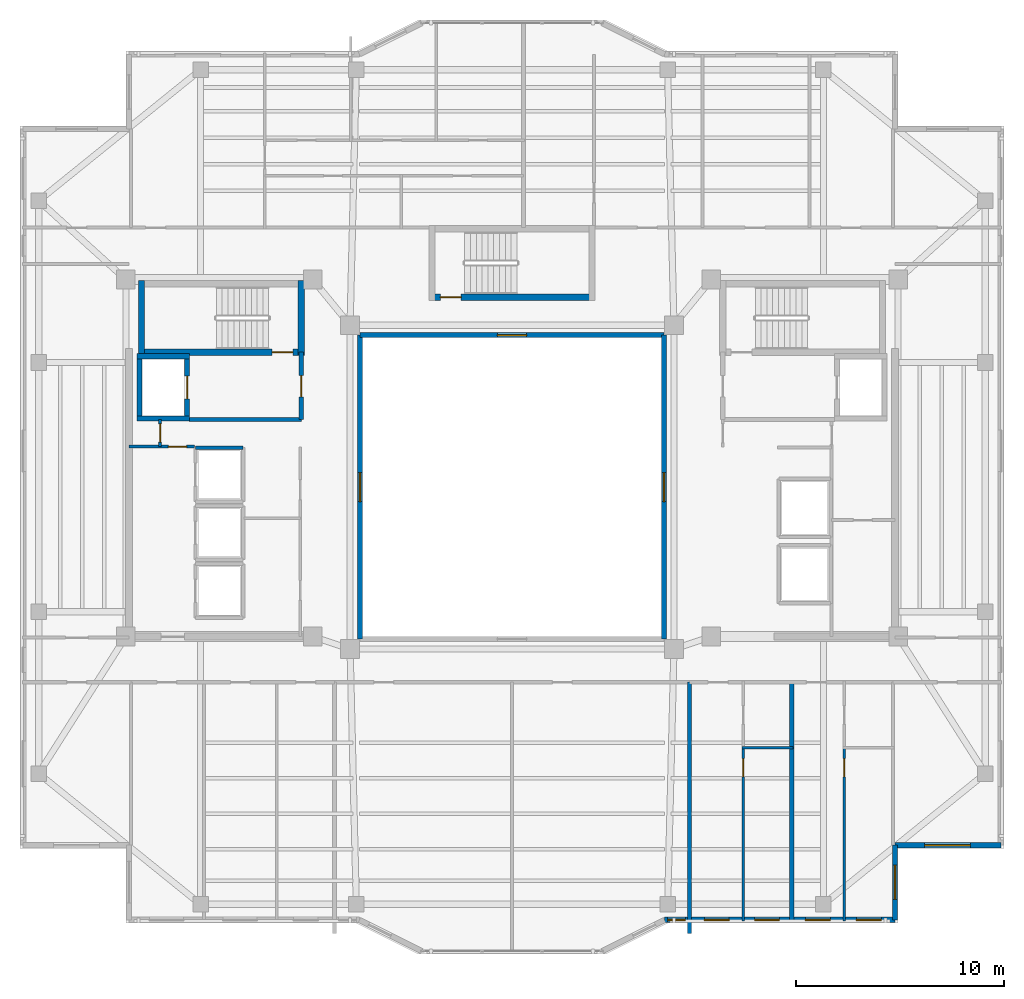
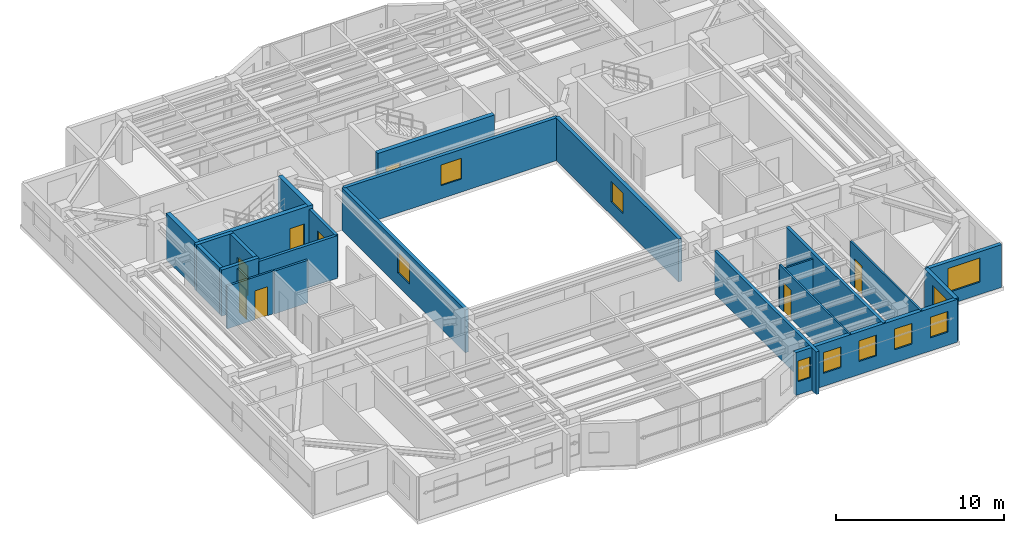
# One storey, part 7 of 13: 24 walls, 10 windows, 8 doors, 18 openings.
"""IFC4 building model written with IfcOpenShell, lengths in metres."""

from ifc_helpers import new_model, si_unit, direction, frame, frame_2d, origin, place, context, subcontext, project, spatial, rectangle, extrude, material, layer, layer_set, type_object, element, fill, save


model = new_model("IFC4")

# Units and contexts
model_context = context("Model", 3, precision=1e-05, world=origin(), true_north=direction((0.0, 1.0)))
body_context = subcontext(model_context, "Body", "Model", "MODEL_VIEW")
ifc_project = project(units=[si_unit("LENGTHUNIT", "METRE"), si_unit("AREAUNIT", "SQUARE_METRE"), si_unit("VOLUMEUNIT", "CUBIC_METRE"), si_unit("PLANEANGLEUNIT", "RADIAN"), si_unit("MASSUNIT", "GRAM", prefix="KILO")], contexts=[model_context])

# Site, building, storey
site_placement = place(None, origin())
site = spatial("IfcSite", under=ifc_project, at=site_placement, CompositionType="ELEMENT")
building_placement = place(site_placement, origin())
building = spatial("IfcBuilding", under=site, at=building_placement, Name="Tarnavaz Court Tower", CompositionType="ELEMENT")
storey_placement = place(building_placement, frame((0.0, 0.0, 193.60009765625)))
storey = spatial("IfcBuildingStorey", under=building, at=storey_placement, Name="L52", CompositionType="ELEMENT", Elevation=193.60009765625)

# Wall
ifc_material_1 = material(Name="Concrete C50/60", Category="concrete")
ifc_layer_1 = layer(ifc_material_1, 0.25)
ifc_layer_set_1 = layer_set([ifc_layer_1], Name="Concrete C50/60")
wall_type_1 = type_object("IfcWallType", Name="WL-CORE-250-C50", PredefinedType="SHEAR", material=ifc_layer_set_1)
wall_1_placement = place(storey_placement, frame((-17.949951171875, 3.175048828125, 0.0), z_axis=(0.0, 0.0, 1.0), x_axis=(0.0, 1.0, 0.0)))
element("IfcWall", 1, at=wall_1_placement, inside=storey, type_object=wall_type_1, Name="L52 Lift FL-W1 Shaft Wall 017", PredefinedType="SHEAR", context=body_context, shape_type="SweptSolid", body=[
    extrude(rectangle(XDim=3.25, YDim=0.25, at=frame_2d((1.625, 0.0))), origin(), (0.0, 0.0, 1.0), 3.349853515625),
])

# Wall, opening, door
wall_2_placement = place(storey_placement, frame((-15.64990234375, 3.175048828125, 0.0), z_axis=(0.0, 0.0, 1.0), x_axis=(0.0, 1.0, 0.0)))
wall_2 = element("IfcWall", 2, at=wall_2_placement, inside=storey, type_object=wall_type_1, Name="L52 Lift FL-W1 Shaft Wall 018", PredefinedType="SHEAR", context=body_context, shape_type="SweptSolid", body=[
    extrude(rectangle(XDim=3.25, YDim=0.25, at=frame_2d((1.625, 0.0))), origin(), (0.0, 0.0, 1.0), 3.349853515625),
])
opening_1_placement = place(wall_2_placement, frame((1.074951171875, 0.0, 0.0)))
opening_1 = element("IfcOpeningElement", 3, at=opening_1_placement, cuts=wall_2, Name="Opening LD1", PredefinedType="OPENING", context=body_context, shape_type="SweptSolid", body=[
    extrude(rectangle(XDim=1.10009765625, YDim=2.14990234375, at=frame_2d((0.550048828125, 1.074951171875))), frame((0.0, 0.135009765625, 0.0), z_axis=(0.0, -1.0, 0.0), x_axis=(1.0, 0.0, 0.0)), (0.0, 0.0, 1.0), 0.27001953125),
])
ifc_material_2 = material(Name="Stainless Steel", Category="steel")
door_type_1 = type_object("IfcDoorType", Name="DR-LD-1100", OperationType="NOTDEFINED", PredefinedType="DOOR", material=ifc_material_2)
door_1_placement = place(opening_1_placement, origin())
door_1 = element("IfcDoor", 4, at=door_1_placement, inside=storey, type_object=door_type_1, Name="L52 Lift Landing Door LD-FL-W1", OperationType="SLIDING_TO_LEFT", OverallHeight=2.14990234375, OverallWidth=1.10009765625, PredefinedType="DOOR", context=body_context, shape_type="SweptSolid", body=[
    extrude(rectangle(XDim=1.10009765625, YDim=2.14990234375, at=frame_2d((0.550048828125, 1.074951171875))), frame((0.0, 0.02490234375, 0.0), z_axis=(0.0, -1.0, 0.0), x_axis=(1.0, 0.0, 0.0)), (0.0, 0.0, 1.0), 0.050048828125),
])
fill(opening_1, door_1)

# Walls
for number, where, z_axis, x_axis, name in (
    (5, (-18.074951171875, 3.300048828125, 0.0), (0.0, 0.0, 1.0), (1.0, 0.0, 0.0), "L52 Lift FL-W1 Shaft Wall 019"),
    (6, (-18.074951171875, 6.300048828125, 0.0), (0.0, 0.0, 1.0), (1.0, 0.0, 0.0), "L52 Lift FL-W1 Shaft Wall 020"),
):
    element("IfcWall", number, at=place(storey_placement, frame(where, z_axis=z_axis, x_axis=x_axis)), inside=storey, type_object=wall_type_1, Name=name, PredefinedType="SHEAR", context=body_context, shape_type="SweptSolid", body=[
        extrude(rectangle(XDim=2.550048828125, YDim=0.25, at=frame_2d((1.27490234375, 0.0))), origin(), (0.0, 0.0, 1.0), 3.349853515625),
    ])

# Wall, opening, door
ifc_layer_2 = layer(ifc_material_1, 0.300048828125)
ifc_layer_set_2 = layer_set([ifc_layer_2], Name="Concrete C50/60")
wall_type_2 = type_object("IfcWallType", Name="WL-CORE-300-C50", PredefinedType="SHEAR", material=ifc_layer_set_2)
wall_3_placement = place(storey_placement, frame((-18.0, 6.5, 0.0), z_axis=(0.0, 0.0, 1.0), x_axis=(1.0, 0.0, 0.0)))
wall_3 = element("IfcWall", 7, at=wall_3_placement, inside=storey, type_object=wall_type_2, Name="L52 West Stair Core Wall 002", PredefinedType="SHEAR", context=body_context, shape_type="SweptSolid", body=[
    extrude(rectangle(XDim=8.0, YDim=0.300048828125, at=frame_2d((4.0, 0.0))), origin(), (0.0, 0.0, 1.0), 3.349853515625),
])
opening_2_placement = place(wall_3_placement, frame((6.449951171875, 0.0, 0.0)))
opening_2 = element("IfcOpeningElement", 8, at=opening_2_placement, cuts=wall_3, Name="Opening D01", PredefinedType="OPENING", context=body_context, shape_type="SweptSolid", body=[
    extrude(rectangle(XDim=1.0, YDim=2.14990234375, at=frame_2d((0.5, 1.074951171875))), frame((0.0, 0.159912109375, 0.0), z_axis=(0.0, -1.0, 0.0), x_axis=(1.0, 0.0, 0.0)), (0.0, 0.0, 1.0), 0.320068359375),
])
ifc_material_3 = material(Name="Fire-Rated Hardwood Timber Core", Category="wood")
door_type_2 = type_object("IfcDoorType", Name="DR-FD90-1000", OperationType="NOTDEFINED", PredefinedType="DOOR", material=ifc_material_3)
door_2_placement = place(opening_2_placement, origin())
door_2 = element("IfcDoor", 9, at=door_2_placement, inside=storey, type_object=door_type_2, Name="L52 Stair ST-W1 Exit Door", OperationType="SINGLE_SWING_LEFT", OverallHeight=2.14990234375, OverallWidth=1.0, PredefinedType="DOOR", context=body_context, shape_type="SweptSolid", body=[
    extrude(rectangle(XDim=1.0, YDim=2.14990234375, at=frame_2d((0.5, 1.074951171875))), frame((0.0, 0.02490234375, 0.0), z_axis=(0.0, -1.0, 0.0), x_axis=(1.0, 0.0, 0.0)), (0.0, 0.0, 1.0), 0.050048828125),
])
fill(opening_2, door_2)

# Walls
for number, where, z_axis, x_axis, name in (
    (10, (-17.85009765625, 6.35009765625, 0.0), (0.0, 0.0, 1.0), (0.0, 1.0, 0.0), "L52 West Stair Core Wall 003"),
    (11, (-10.14990234375, 6.35009765625, 0.0), (0.0, 0.0, 1.0), (0.0, 1.0, 0.0), "L52 West Stair Core Wall 004"),
):
    element("IfcWall", number, at=place(storey_placement, frame(where, z_axis=z_axis, x_axis=x_axis)), inside=storey, type_object=wall_type_2, Name=name, PredefinedType="SHEAR", context=body_context, shape_type="SweptSolid", body=[
        extrude(rectangle(XDim=3.58984375, YDim=0.300048828125, at=frame_2d((1.794921875, 0.0))), origin(), (0.0, 0.0, 1.0), 3.349853515625),
    ])

# Wall, opening, door
wall_4_placement = place(storey_placement, frame((-4.0, 9.14990234375, 0.0), z_axis=(0.0, 0.0, 1.0), x_axis=(1.0, 0.0, 0.0)))
wall_4 = element("IfcWall", 12, at=wall_4_placement, inside=storey, type_object=wall_type_2, Name="L52 North Stair Core Wall 010", PredefinedType="SHEAR", context=body_context, shape_type="SweptSolid", body=[
    extrude(rectangle(XDim=8.0, YDim=0.300048828125, at=frame_2d((4.0, 0.0))), origin(), (0.0, 0.0, 1.0), 3.349853515625),
])
opening_3_placement = place(wall_4_placement, frame((0.550048828125, 0.0, 0.0)))
opening_3 = element("IfcOpeningElement", 13, at=opening_3_placement, cuts=wall_4, Name="Opening D01", PredefinedType="OPENING", context=body_context, shape_type="SweptSolid", body=[
    extrude(rectangle(XDim=1.0, YDim=2.14990234375, at=frame_2d((0.5, 1.074951171875))), frame((0.0, 0.159912109375, 0.0), z_axis=(0.0, -1.0, 0.0), x_axis=(1.0, 0.0, 0.0)), (0.0, 0.0, 1.0), 0.320068359375),
])
door_3_placement = place(opening_3_placement, origin())
door_3 = element("IfcDoor", 14, at=door_3_placement, inside=storey, type_object=door_type_2, Name="L52 Stair ST-N1 Exit Door", OperationType="SINGLE_SWING_LEFT", OverallHeight=2.14990234375, OverallWidth=1.0, PredefinedType="DOOR", context=body_context, shape_type="SweptSolid", body=[
    extrude(rectangle(XDim=1.0, YDim=2.14990234375, at=frame_2d((0.5, 1.074951171875))), frame((0.0, 0.02490234375, 0.0), z_axis=(0.0, -1.0, 0.0), x_axis=(1.0, 0.0, 0.0)), (0.0, 0.0, 1.0), 0.050048828125),
])
fill(opening_3, door_3)

# Wall, opening, window
ifc_material_4 = material(Name="Precast Concrete C40/50", Category="concrete")
ifc_layer_3 = layer(ifc_material_4, 0.260009765625)
ifc_layer_set_3 = layer_set([ifc_layer_3], Name="Precast Concrete C40/50")
wall_type_3 = type_object("IfcWallType", Name="WL-EXT-260", PredefinedType="SOLIDWALL", material=ifc_layer_set_3)
wall_5_placement = place(storey_placement, frame((23.550048828125, -17.25, 0.0), z_axis=(0.0, 0.0, 1.0), x_axis=(-1.0, 0.0, 0.0)))
wall_5 = element("IfcWall", 15, at=wall_5_placement, inside=storey, type_object=wall_type_3, Name="L52 Exterior Terracotta Facade Wall 13", PredefinedType="SOLIDWALL", context=body_context, shape_type="SweptSolid", body=[
    extrude(rectangle(XDim=5.10009765625, YDim=0.260009765625, at=frame_2d((2.550048828125, 0.0))), origin(), (0.0, 0.0, 1.0), 3.099853515625),
])
opening_4_placement = place(wall_5_placement, frame((1.47509765625, 0.0, 0.89990234375)))
opening_4 = element("IfcOpeningElement", 16, at=opening_4_placement, cuts=wall_5, Name="Opening W07", PredefinedType="OPENING", context=body_context, shape_type="SweptSolid", body=[
    extrude(rectangle(XDim=2.199951171875, YDim=1.75, at=frame_2d((1.10009765625, 0.875))), frame((0.0, 0.139892578125, 0.0), z_axis=(0.0, -1.0, 0.0), x_axis=(1.0, 0.0, 0.0)), (0.0, 0.0, 1.0), 0.280029296875),
])
ifc_material_5 = material(Name="Double-Glazed Solar Low-E Glass", Category="glass")
window_type_1 = type_object("IfcWindowType", Name="WN-APT-2200", PartitioningType="TRIPLE_PANEL_VERTICAL", PredefinedType="WINDOW", material=ifc_material_5)
window_1_placement = place(opening_4_placement, origin())
window_1 = element("IfcWindow", 17, at=window_1_placement, inside=storey, type_object=window_type_1, Name="L52 South-East Corner Reading Room Window", OverallHeight=1.75, OverallWidth=2.199951171875, PartitioningType="SINGLE_PANEL", PredefinedType="WINDOW", context=body_context, shape_type="SweptSolid", body=[
    extrude(rectangle(XDim=2.199951171875, YDim=1.75, at=frame_2d((1.10009765625, 0.875))), frame((0.0, 0.030029296875, 0.0), z_axis=(0.0, -1.0, 0.0), x_axis=(1.0, 0.0, 0.0)), (0.0, 0.0, 1.0), 0.06005859375),
])
fill(opening_4, window_1)

wall_6_placement = place(storey_placement, frame((18.449951171875, -17.25, 0.0), z_axis=(0.0, 0.0, 1.0), x_axis=(0.0, -1.0, 0.0)))
wall_6 = element("IfcWall", 18, at=wall_6_placement, inside=storey, type_object=wall_type_3, Name="L52 Exterior Terracotta Facade Wall 14", PredefinedType="SOLIDWALL", context=body_context, shape_type="SweptSolid", body=[
    extrude(rectangle(XDim=3.60009765625, YDim=0.260009765625, at=frame_2d((1.800048828125, 0.0))), origin(), (0.0, 0.0, 1.0), 3.099853515625),
])
opening_5_placement = place(wall_6_placement, frame((0.95751953125, 0.0, 0.89990234375)))
opening_5 = element("IfcOpeningElement", 19, at=opening_5_placement, cuts=wall_6, Name="Opening W02", PredefinedType="OPENING", context=body_context, shape_type="SweptSolid", body=[
    extrude(rectangle(XDim=1.64990234375, YDim=1.60009765625, at=frame_2d((0.824951171875, 0.800048828125))), frame((0.0, 0.139892578125, 0.0), z_axis=(0.0, -1.0, 0.0), x_axis=(1.0, 0.0, 0.0)), (0.0, 0.0, 1.0), 0.280029296875),
])
window_type_2 = type_object("IfcWindowType", Name="WN-APT-1650", PartitioningType="DOUBLE_PANEL_VERTICAL", PredefinedType="WINDOW", material=ifc_material_5)
window_2_placement = place(opening_5_placement, origin())
window_2 = element("IfcWindow", 20, at=window_2_placement, inside=storey, type_object=window_type_2, Name="L52 Flat 03 Kitchen Window", OverallHeight=1.60009765625, OverallWidth=1.64990234375, PartitioningType="SINGLE_PANEL", PredefinedType="WINDOW", context=body_context, shape_type="SweptSolid", body=[
    extrude(rectangle(XDim=1.64990234375, YDim=1.60009765625, at=frame_2d((0.824951171875, 0.800048828125))), frame((0.0, 0.030029296875, 0.0), z_axis=(0.0, -1.0, 0.0), x_axis=(1.0, 0.0, 0.0)), (0.0, 0.0, 1.0), 0.06005859375),
])
fill(opening_5, window_2)

# Wall, openings, windows
wall_7_placement = place(storey_placement, frame((18.449951171875, -20.85009765625, 0.0), z_axis=(0.0, 0.0, 1.0), x_axis=(-1.0, 0.0, 0.0)))
wall_7 = element("IfcWall", 21, at=wall_7_placement, inside=storey, type_object=wall_type_3, Name="L52 Exterior Terracotta Facade Wall 15", PredefinedType="SOLIDWALL", context=body_context, shape_type="SweptSolid", body=[
    extrude(rectangle(XDim=11.099853515625, YDim=0.260009765625, at=frame_2d((5.5498046875, 0.0))), origin(), (0.0, 0.0, 1.0), 3.099853515625),
])
opening_6_placement = place(wall_7_placement, frame((0.65576171875, 0.0, 0.949951171875)))
opening_6 = element("IfcOpeningElement", 22, at=opening_6_placement, cuts=wall_7, Name="Opening W05", PredefinedType="OPENING", context=body_context, shape_type="SweptSolid", body=[
    extrude(rectangle(XDim=1.199951171875, YDim=1.5, at=frame_2d((0.60009765625, 0.75))), frame((0.0, 0.139892578125, 0.0), z_axis=(0.0, -1.0, 0.0), x_axis=(1.0, 0.0, 0.0)), (0.0, 0.0, 1.0), 0.280029296875),
])
opening_7_placement = place(wall_7_placement, frame((3.11669921875, 0.0, 0.949951171875)))
opening_7 = element("IfcOpeningElement", 23, at=opening_7_placement, cuts=wall_7, Name="Opening W05", PredefinedType="OPENING", context=body_context, shape_type="SweptSolid", body=[
    extrude(rectangle(XDim=1.199951171875, YDim=1.5, at=frame_2d((0.60009765625, 0.75))), frame((0.0, 0.139892578125, 0.0), z_axis=(0.0, -1.0, 0.0), x_axis=(1.0, 0.0, 0.0)), (0.0, 0.0, 1.0), 0.280029296875),
])
opening_8_placement = place(wall_7_placement, frame((5.56591796875, 0.0, 0.949951171875)))
opening_8 = element("IfcOpeningElement", 24, at=opening_8_placement, cuts=wall_7, Name="Opening W05", PredefinedType="OPENING", context=body_context, shape_type="SweptSolid", body=[
    extrude(rectangle(XDim=1.199951171875, YDim=1.5, at=frame_2d((0.60009765625, 0.75))), frame((0.0, 0.139892578125, 0.0), z_axis=(0.0, -1.0, 0.0), x_axis=(1.0, 0.0, 0.0)), (0.0, 0.0, 1.0), 0.280029296875),
])
opening_9_placement = place(wall_7_placement, frame((7.98876953125, 0.0, 0.949951171875)))
opening_9 = element("IfcOpeningElement", 25, at=opening_9_placement, cuts=wall_7, Name="Opening W05", PredefinedType="OPENING", context=body_context, shape_type="SweptSolid", body=[
    extrude(rectangle(XDim=1.199951171875, YDim=1.5, at=frame_2d((0.60009765625, 0.75))), frame((0.0, 0.139892578125, 0.0), z_axis=(0.0, -1.0, 0.0), x_axis=(1.0, 0.0, 0.0)), (0.0, 0.0, 1.0), 0.280029296875),
])
opening_10_placement = place(wall_7_placement, frame((10.1025390625, 0.0, 0.949951171875)))
opening_10 = element("IfcOpeningElement", 26, at=opening_10_placement, cuts=wall_7, Name="Opening W15", PredefinedType="OPENING", context=body_context, shape_type="SweptSolid", body=[
    extrude(rectangle(XDim=0.85009765625, YDim=1.5, at=frame_2d((0.425048828125, 0.75))), frame((0.0, 0.139892578125, 0.0), z_axis=(0.0, -1.0, 0.0), x_axis=(1.0, 0.0, 0.0)), (0.0, 0.0, 1.0), 0.280029296875),
])
window_type_3 = type_object("IfcWindowType", Name="WN-APT-1200", PartitioningType="SINGLE_PANEL", PredefinedType="WINDOW", material=ifc_material_5)
window_3_placement = place(opening_6_placement, origin())
window_3 = element("IfcWindow", 27, at=window_3_placement, inside=storey, type_object=window_type_3, Name="L52 Flat 03 Kitchen Window", OverallHeight=1.5, OverallWidth=1.199951171875, PartitioningType="SINGLE_PANEL", PredefinedType="WINDOW", context=body_context, shape_type="SweptSolid", body=[
    extrude(rectangle(XDim=1.199951171875, YDim=1.5, at=frame_2d((0.60009765625, 0.75))), frame((0.0, 0.030029296875, 0.0), z_axis=(0.0, -1.0, 0.0), x_axis=(1.0, 0.0, 0.0)), (0.0, 0.0, 1.0), 0.06005859375),
])
fill(opening_6, window_3)
window_4_placement = place(opening_7_placement, origin())
window_4 = element("IfcWindow", 28, at=window_4_placement, inside=storey, type_object=window_type_3, Name="L52 Flat 03 Studio Living and Sleeping Room Window", OverallHeight=1.5, OverallWidth=1.199951171875, PartitioningType="SINGLE_PANEL", PredefinedType="WINDOW", context=body_context, shape_type="SweptSolid", body=[
    extrude(rectangle(XDim=1.199951171875, YDim=1.5, at=frame_2d((0.60009765625, 0.75))), frame((0.0, 0.030029296875, 0.0), z_axis=(0.0, -1.0, 0.0), x_axis=(1.0, 0.0, 0.0)), (0.0, 0.0, 1.0), 0.06005859375),
])
fill(opening_7, window_4)
window_5_placement = place(opening_8_placement, origin())
window_5 = element("IfcWindow", 29, at=window_5_placement, inside=storey, type_object=window_type_3, Name="L52 Flat 02 Kitchen Window", OverallHeight=1.5, OverallWidth=1.199951171875, PartitioningType="SINGLE_PANEL", PredefinedType="WINDOW", context=body_context, shape_type="SweptSolid", body=[
    extrude(rectangle(XDim=1.199951171875, YDim=1.5, at=frame_2d((0.60009765625, 0.75))), frame((0.0, 0.030029296875, 0.0), z_axis=(0.0, -1.0, 0.0), x_axis=(1.0, 0.0, 0.0)), (0.0, 0.0, 1.0), 0.06005859375),
])
fill(opening_8, window_5)
window_6_placement = place(opening_9_placement, origin())
window_6 = element("IfcWindow", 30, at=window_6_placement, inside=storey, type_object=window_type_3, Name="L52 Flat 02 Studio Living and Sleeping Room Window", OverallHeight=1.5, OverallWidth=1.199951171875, PartitioningType="SINGLE_PANEL", PredefinedType="WINDOW", context=body_context, shape_type="SweptSolid", body=[
    extrude(rectangle(XDim=1.199951171875, YDim=1.5, at=frame_2d((0.60009765625, 0.75))), frame((0.0, 0.030029296875, 0.0), z_axis=(0.0, -1.0, 0.0), x_axis=(1.0, 0.0, 0.0)), (0.0, 0.0, 1.0), 0.06005859375),
])
fill(opening_9, window_6)
window_type_4 = type_object("IfcWindowType", Name="WN-APT-850", PartitioningType="SINGLE_PANEL", PredefinedType="WINDOW", material=ifc_material_5)
window_7_placement = place(opening_10_placement, origin())
window_7 = element("IfcWindow", 31, at=window_7_placement, inside=storey, type_object=window_type_4, Name="L52 South Courtyard Reading Room Window", OverallHeight=1.5, OverallWidth=0.85009765625, PartitioningType="SINGLE_PANEL", PredefinedType="WINDOW", context=body_context, shape_type="SweptSolid", body=[
    extrude(rectangle(XDim=0.85009765625, YDim=1.5, at=frame_2d((0.425048828125, 0.75))), frame((0.0, 0.030029296875, 0.0), z_axis=(0.0, -1.0, 0.0), x_axis=(1.0, 0.0, 0.0)), (0.0, 0.0, 1.0), 0.06005859375),
])
fill(opening_10, window_7)

# Wall
ifc_material_6 = material(Name="Autoclaved Aerated Concrete Blockwork", Category="masonry")
ifc_layer_4 = layer(ifc_material_6, 0.199951171875)
ifc_layer_set_4 = layer_set([ifc_layer_4], Name="Autoclaved Aerated Concrete Blockwork")
wall_type_4 = type_object("IfcWallType", Name="WL-FIRE-200", PredefinedType="SOLIDWALL", material=ifc_layer_set_4)
wall_8_placement = place(storey_placement, frame((-15.550048828125, 3.25, 0.0), z_axis=(0.0, 0.0, 1.0), x_axis=(1.0, 0.0, 0.0)))
element("IfcWall", 32, at=wall_8_placement, inside=storey, type_object=wall_type_4, Name="L52 West Firefighting Lobby Wall 013", PredefinedType="SOLIDWALL", context=body_context, shape_type="SweptSolid", body=[
    extrude(rectangle(XDim=5.400146484375, YDim=0.199951171875, at=frame_2d((2.7001953125, 0.0))), origin(), (0.0, 0.0, 1.0), 3.099853515625),
])

# Wall, opening, door
wall_9_placement = place(storey_placement, frame((-10.14990234375, 3.25, 0.0), z_axis=(0.0, 0.0, 1.0), x_axis=(0.0, 1.0, 0.0)))
wall_9 = element("IfcWall", 33, at=wall_9_placement, inside=storey, type_object=wall_type_4, Name="L52 West Firefighting Lobby Wall 014", PredefinedType="SOLIDWALL", context=body_context, shape_type="SweptSolid", body=[
    extrude(rectangle(XDim=3.25, YDim=0.199951171875, at=frame_2d((1.625, 0.0))), origin(), (0.0, 0.0, 1.0), 3.099853515625),
])
opening_11_placement = place(wall_9_placement, frame((1.10009765625, 0.0, 0.0)))
opening_11 = element("IfcOpeningElement", 34, at=opening_11_placement, cuts=wall_9, Name="Opening D05", PredefinedType="OPENING", context=body_context, shape_type="SweptSolid", body=[
    extrude(rectangle(XDim=1.02001953125, YDim=2.14990234375, at=frame_2d((0.510009765625, 1.074951171875))), frame((0.0, 0.10986328125, 0.0), z_axis=(0.0, -1.0, 0.0), x_axis=(1.0, 0.0, 0.0)), (0.0, 0.0, 1.0), 0.219970703125),
])
door_type_3 = type_object("IfcDoorType", Name="DR-FD60-1000", OperationType="NOTDEFINED", PredefinedType="DOOR", material=ifc_material_3)
door_4_placement = place(opening_11_placement, origin())
door_4 = element("IfcDoor", 35, at=door_4_placement, inside=storey, type_object=door_type_3, Name="L52 West Firefighting Lobby Door", OperationType="SINGLE_SWING_RIGHT", OverallHeight=2.14990234375, OverallWidth=1.02001953125, PredefinedType="DOOR", context=body_context, shape_type="SweptSolid", body=[
    extrude(rectangle(XDim=1.02001953125, YDim=2.14990234375, at=frame_2d((0.510009765625, 1.074951171875))), frame((0.0, 0.02490234375, 0.0), z_axis=(0.0, -1.0, 0.0), x_axis=(1.0, 0.0, 0.0)), (0.0, 0.0, 1.0), 0.050048828125),
])
fill(opening_11, door_4)

# Walls
wall_10_placement = place(storey_placement, frame((13.47509765625, -20.89990234375, 0.0), z_axis=(0.0, 0.0, 1.0), x_axis=(0.0, 1.0, 0.0)))
element("IfcWall", 36, at=wall_10_placement, inside=storey, type_object=wall_type_4, Name="L52 Party Wall 074", PredefinedType="SOLIDWALL", context=body_context, shape_type="SweptSolid", body=[
    extrude(rectangle(XDim=11.5, YDim=0.199951171875, at=frame_2d((5.75, 0.0))), origin(), (0.0, 0.0, 1.0), 3.099853515625),
])
wall_11_placement = place(storey_placement, frame((8.550048828125, -21.50390625, 0.0), z_axis=(0.0, 0.0, 1.0), x_axis=(0.0, 1.0, 0.0)))
element("IfcWall", 37, at=wall_11_placement, inside=storey, type_object=wall_type_4, Name="L52 Party Wall 082", PredefinedType="SOLIDWALL", context=body_context, shape_type="SweptSolid", body=[
    extrude(rectangle(XDim=12.10400390625, YDim=0.199951171875, at=frame_2d((6.052001953125, 0.0))), origin(), (0.0, 0.0, 1.0), 3.099853515625),
])

# Wall, opening, door
ifc_material_7 = material(Name="Moisture-Resistant Gypsum Board Partition", Category="masonry")
ifc_layer_5 = layer(ifc_material_7, 0.1201171875)
ifc_layer_set_5 = layer_set([ifc_layer_5], Name="Moisture-Resistant Gypsum Board Partition")
wall_type_5 = type_object("IfcWallType", Name="WL-PART-120", PredefinedType="PARTITIONING", material=ifc_layer_set_5)
wall_12_placement = place(storey_placement, frame((11.133056640625, -20.89990234375, 0.0), z_axis=(0.0, 0.0, 1.0), x_axis=(0.0, 1.0, 0.0)))
wall_12 = element("IfcWall", 38, at=wall_12_placement, inside=storey, type_object=wall_type_5, Name="L52 Interior Partition 075", PredefinedType="PARTITIONING", context=body_context, shape_type="SweptSolid", body=[
    extrude(rectangle(XDim=8.33984375, YDim=0.1201171875, at=frame_2d((4.169921875, 0.0))), origin(), (0.0, 0.0, 1.0), 3.099853515625),
])
opening_12_placement = place(wall_12_placement, frame((6.93994140625, 0.0, 0.0)))
opening_12 = element("IfcOpeningElement", 39, at=opening_12_placement, cuts=wall_12, Name="Opening D14", PredefinedType="OPENING", context=body_context, shape_type="SweptSolid", body=[
    extrude(rectangle(XDim=0.8798828125, YDim=2.10009765625, at=frame_2d((0.43994140625, 1.050048828125))), frame((0.0, 0.070068359375, 0.0), z_axis=(0.0, -1.0, 0.0), x_axis=(1.0, 0.0, 0.0)), (0.0, 0.0, 1.0), 0.14013671875),
])
ifc_material_8 = material(Name="Engineered Oak Timber", Category="wood")
door_type_4 = type_object("IfcDoorType", Name="DR-INT-900", OperationType="NOTDEFINED", PredefinedType="DOOR", material=ifc_material_8)
door_5_placement = place(opening_12_placement, origin())
door_5 = element("IfcDoor", 40, at=door_5_placement, inside=storey, type_object=door_type_4, Name="L52 Flat 02 Kitchen Door", OperationType="SINGLE_SWING_RIGHT", OverallHeight=2.10009765625, OverallWidth=0.8798828125, PredefinedType="DOOR", context=body_context, shape_type="SweptSolid", body=[
    extrude(rectangle(XDim=0.8798828125, YDim=2.10009765625, at=frame_2d((0.43994140625, 1.050048828125))), frame((0.0, 0.02490234375, 0.0), z_axis=(0.0, -1.0, 0.0), x_axis=(1.0, 0.0, 0.0)), (0.0, 0.0, 1.0), 0.050048828125),
])
fill(opening_12, door_5)

# Wall
wall_13_placement = place(storey_placement, frame((11.072998046875, -12.56005859375, 0.0), z_axis=(0.0, 0.0, 1.0), x_axis=(1.0, 0.0, 0.0)))
element("IfcWall", 41, at=wall_13_placement, inside=storey, type_object=wall_type_5, Name="L52 Interior Partition 077", PredefinedType="PARTITIONING", context=body_context, shape_type="SweptSolid", body=[
    extrude(rectangle(XDim=2.4619140625, YDim=0.1201171875, at=frame_2d((1.23095703125, 0.0))), origin(), (0.0, 0.0, 1.0), 2.724853515625),
])

# Wall, opening, door
wall_14_placement = place(storey_placement, frame((16.008056640625, -20.89990234375, 0.0), z_axis=(0.0, 0.0, 1.0), x_axis=(0.0, 1.0, 0.0)))
wall_14 = element("IfcWall", 42, at=wall_14_placement, inside=storey, type_object=wall_type_5, Name="L52 Interior Partition 078", PredefinedType="PARTITIONING", context=body_context, shape_type="SweptSolid", body=[
    extrude(rectangle(XDim=8.33984375, YDim=0.1201171875, at=frame_2d((4.169921875, 0.0))), origin(), (0.0, 0.0, 1.0), 3.099853515625),
])
opening_13_placement = place(wall_14_placement, frame((6.93994140625, 0.0, 0.0)))
opening_13 = element("IfcOpeningElement", 43, at=opening_13_placement, cuts=wall_14, Name="Opening D14", PredefinedType="OPENING", context=body_context, shape_type="SweptSolid", body=[
    extrude(rectangle(XDim=0.8798828125, YDim=2.10009765625, at=frame_2d((0.43994140625, 1.050048828125))), frame((0.0, 0.070068359375, 0.0), z_axis=(0.0, -1.0, 0.0), x_axis=(1.0, 0.0, 0.0)), (0.0, 0.0, 1.0), 0.14013671875),
])
door_6_placement = place(opening_13_placement, origin())
door_6 = element("IfcDoor", 44, at=door_6_placement, inside=storey, type_object=door_type_4, Name="L52 Flat 03 Kitchen Door", OperationType="SINGLE_SWING_LEFT", OverallHeight=2.10009765625, OverallWidth=0.8798828125, PredefinedType="DOOR", context=body_context, shape_type="SweptSolid", body=[
    extrude(rectangle(XDim=0.8798828125, YDim=2.10009765625, at=frame_2d((0.43994140625, 1.050048828125))), frame((0.0, 0.02490234375, 0.0), z_axis=(0.0, -1.0, 0.0), x_axis=(1.0, 0.0, 0.0)), (0.0, 0.0, 1.0), 0.050048828125),
])
fill(opening_13, door_6)

ifc_material_9 = material(Name="Gypsum Plasterboard Acoustic Partition", Category="masonry")
ifc_layer_6 = layer(ifc_material_9, 0.139892578125)
ifc_layer_set_6 = layer_set([ifc_layer_6], Name="Gypsum Plasterboard Acoustic Partition")
wall_type_6 = type_object("IfcWallType", Name="WL-PART-150", PredefinedType="PARTITIONING", material=ifc_layer_set_6)
wall_15_placement = place(storey_placement, frame((-18.449951171875, 1.949951171875, 0.0), z_axis=(0.0, 0.0, 1.0), x_axis=(1.0, 0.0, 0.0)))
wall_15 = element("IfcWall", 45, at=wall_15_placement, inside=storey, type_object=wall_type_6, Name="L52 Interior Partition 049", PredefinedType="PARTITIONING", context=body_context, shape_type="SweptSolid", body=[
    extrude(rectangle(XDim=3.14990234375, YDim=0.139892578125, at=frame_2d((1.574951171875, 0.0))), origin(), (0.0, 0.0, 1.0), 3.099853515625),
])
opening_14_placement = place(wall_15_placement, frame((1.89990234375, 0.0, 0.0)))
opening_14 = element("IfcOpeningElement", 46, at=opening_14_placement, cuts=wall_15, Name="Opening D14", PredefinedType="OPENING", context=body_context, shape_type="SweptSolid", body=[
    extrude(rectangle(XDim=0.8798828125, YDim=2.10009765625, at=frame_2d((0.43994140625, 1.050048828125))), frame((0.0, 0.079833984375, 0.0), z_axis=(0.0, -1.0, 0.0), x_axis=(1.0, 0.0, 0.0)), (0.0, 0.0, 1.0), 0.159912109375),
])
door_7_placement = place(opening_14_placement, origin())
door_7 = element("IfcDoor", 47, at=door_7_placement, inside=storey, type_object=door_type_4, Name="L52 West Sky Switchgear Door", OperationType="SINGLE_SWING_RIGHT", OverallHeight=2.10009765625, OverallWidth=0.8798828125, PredefinedType="DOOR", context=body_context, shape_type="SweptSolid", body=[
    extrude(rectangle(XDim=0.8798828125, YDim=2.10009765625, at=frame_2d((0.43994140625, 1.050048828125))), frame((0.0, 0.02490234375, 0.0), z_axis=(0.0, -1.0, 0.0), x_axis=(1.0, 0.0, 0.0)), (0.0, 0.0, 1.0), 0.050048828125),
])
fill(opening_14, door_7)

wall_16_placement = place(storey_placement, frame((-16.949951171875, 1.949951171875, 0.0), z_axis=(0.0, 0.0, 1.0), x_axis=(0.0, 1.0, 0.0)))
wall_16 = element("IfcWall", 48, at=wall_16_placement, inside=storey, type_object=wall_type_6, Name="L52 Interior Partition 050", PredefinedType="PARTITIONING", context=body_context, shape_type="SweptSolid", body=[
    extrude(rectangle(XDim=1.300048828125, YDim=0.139892578125, at=frame_2d((0.64990234375, 0.0))), origin(), (0.0, 0.0, 1.0), 3.099853515625),
])
opening_15_placement = place(wall_16_placement, frame((0.219970703125, 0.0, 0.0)))
opening_15 = element("IfcOpeningElement", 49, at=opening_15_placement, cuts=wall_16, Name="Opening D14", PredefinedType="OPENING", context=body_context, shape_type="SweptSolid", body=[
    extrude(rectangle(XDim=0.8798828125, YDim=2.10009765625, at=frame_2d((0.43994140625, 1.050048828125))), frame((0.0, 0.079833984375, 0.0), z_axis=(0.0, -1.0, 0.0), x_axis=(1.0, 0.0, 0.0)), (0.0, 0.0, 1.0), 0.159912109375),
])
door_8_placement = place(opening_15_placement, origin())
door_8 = element("IfcDoor", 50, at=door_8_placement, inside=storey, type_object=door_type_4, Name="L52 West Sky Telecom Door", OperationType="SINGLE_SWING_LEFT", OverallHeight=2.10009765625, OverallWidth=0.8798828125, PredefinedType="DOOR", context=body_context, shape_type="SweptSolid", body=[
    extrude(rectangle(XDim=0.8798828125, YDim=2.10009765625, at=frame_2d((0.43994140625, 1.050048828125))), frame((0.0, 0.02490234375, 0.0), z_axis=(0.0, -1.0, 0.0), x_axis=(1.0, 0.0, 0.0)), (0.0, 0.0, 1.0), 0.050048828125),
])
fill(opening_15, door_8)

# Wall
ifc_layer_7 = layer(ifc_material_6, 0.159912109375)
ifc_layer_set_7 = layer_set([ifc_layer_7], Name="Autoclaved Aerated Concrete Blockwork")
wall_type_7 = type_object("IfcWallType", Name="WL-SHAFT-150", PredefinedType="SOLIDWALL", material=ifc_layer_set_7)
wall_17_placement = place(storey_placement, frame((-15.25, 1.89990234375, 0.0), z_axis=(0.0, 0.0, 1.0), x_axis=(1.0, 0.0, 0.0)))
element("IfcWall", 51, at=wall_17_placement, inside=storey, type_object=wall_type_7, Name="L52 Lift PL-H3 Shaft Wall 032", PredefinedType="SOLIDWALL", context=body_context, shape_type="SweptSolid", body=[
    extrude(rectangle(XDim=2.300048828125, YDim=0.159912109375, at=frame_2d((1.14990234375, 0.0))), origin(), (0.0, 0.0, 1.0), 3.099853515625),
])

# Wall, opening, window
ifc_layer_8 = layer(ifc_material_4, 0.239990234375)
ifc_layer_set_8 = layer_set([ifc_layer_8], Name="Precast Concrete C40/50")
wall_type_8 = type_object("IfcWallType", Name="WL-WELL-240", PredefinedType="SOLIDWALL", material=ifc_layer_set_8)
wall_18_placement = place(storey_placement, frame((7.320068359375, -7.320068359375, 0.0), z_axis=(0.0, 0.0, 1.0), x_axis=(0.0, 1.0, 0.0)))
wall_18 = element("IfcWall", 52, at=wall_18_placement, inside=storey, type_object=wall_type_8, Name="L52 Badgir Light-Well Exterior Wall E", PredefinedType="SOLIDWALL", context=body_context, shape_type="SweptSolid", body=[
    extrude(rectangle(XDim=14.64013671875, YDim=0.239990234375, at=frame_2d((7.320068359375, 0.0))), origin(), (0.0, 0.0, 1.0), 3.099853515625),
])
opening_16_placement = place(wall_18_placement, frame((6.6201171875, 0.0, 0.949951171875)))
opening_16 = element("IfcOpeningElement", 53, at=opening_16_placement, cuts=wall_18, Name="Opening W13", PredefinedType="OPENING", context=body_context, shape_type="SweptSolid", body=[
    extrude(rectangle(XDim=1.39990234375, YDim=1.5, at=frame_2d((0.699951171875, 0.75))), frame((0.0, 0.1298828125, 0.0), z_axis=(0.0, -1.0, 0.0), x_axis=(1.0, 0.0, 0.0)), (0.0, 0.0, 1.0), 0.260009765625),
])
window_type_5 = type_object("IfcWindowType", Name="WN-WEL-1400", PartitioningType="SINGLE_PANEL", PredefinedType="WINDOW", material=ifc_material_5)
window_8_placement = place(opening_16_placement, origin())
window_8 = element("IfcWindow", 54, at=window_8_placement, inside=storey, type_object=window_type_5, Name="L52 Courtyard Gallery Window E", OverallHeight=1.5, OverallWidth=1.39990234375, PartitioningType="SINGLE_PANEL", PredefinedType="WINDOW", context=body_context, shape_type="SweptSolid", body=[
    extrude(rectangle(XDim=1.39990234375, YDim=1.5, at=frame_2d((0.699951171875, 0.75))), frame((0.0, 0.030029296875, 0.0), z_axis=(0.0, -1.0, 0.0), x_axis=(1.0, 0.0, 0.0)), (0.0, 0.0, 1.0), 0.06005859375),
])
fill(opening_16, window_8)

wall_19_placement = place(storey_placement, frame((7.320068359375, 7.320068359375, 0.0), z_axis=(0.0, 0.0, 1.0), x_axis=(-1.0, 0.0, 0.0)))
wall_19 = element("IfcWall", 55, at=wall_19_placement, inside=storey, type_object=wall_type_8, Name="L52 Badgir Light-Well Exterior Wall N", PredefinedType="SOLIDWALL", context=body_context, shape_type="SweptSolid", body=[
    extrude(rectangle(XDim=14.64013671875, YDim=0.239990234375, at=frame_2d((7.320068359375, 0.0))), origin(), (0.0, 0.0, 1.0), 3.099853515625),
])
opening_17_placement = place(wall_19_placement, frame((6.6201171875, 0.0, 0.949951171875)))
opening_17 = element("IfcOpeningElement", 56, at=opening_17_placement, cuts=wall_19, Name="Opening W13", PredefinedType="OPENING", context=body_context, shape_type="SweptSolid", body=[
    extrude(rectangle(XDim=1.39990234375, YDim=1.5, at=frame_2d((0.699951171875, 0.75))), frame((0.0, 0.1298828125, 0.0), z_axis=(0.0, -1.0, 0.0), x_axis=(1.0, 0.0, 0.0)), (0.0, 0.0, 1.0), 0.260009765625),
])
window_9_placement = place(opening_17_placement, origin())
window_9 = element("IfcWindow", 57, at=window_9_placement, inside=storey, type_object=window_type_5, Name="L52 Courtyard Gallery Window N", OverallHeight=1.5, OverallWidth=1.39990234375, PartitioningType="SINGLE_PANEL", PredefinedType="WINDOW", context=body_context, shape_type="SweptSolid", body=[
    extrude(rectangle(XDim=1.39990234375, YDim=1.5, at=frame_2d((0.699951171875, 0.75))), frame((0.0, 0.030029296875, 0.0), z_axis=(0.0, -1.0, 0.0), x_axis=(1.0, 0.0, 0.0)), (0.0, 0.0, 1.0), 0.06005859375),
])
fill(opening_17, window_9)

wall_20_placement = place(storey_placement, frame((-7.320068359375, 7.320068359375, 0.0), z_axis=(0.0, 0.0, 1.0), x_axis=(0.0, -1.0, 0.0)))
wall_20 = element("IfcWall", 58, at=wall_20_placement, inside=storey, type_object=wall_type_8, Name="L52 Badgir Light-Well Exterior Wall W", PredefinedType="SOLIDWALL", context=body_context, shape_type="SweptSolid", body=[
    extrude(rectangle(XDim=14.64013671875, YDim=0.239990234375, at=frame_2d((7.320068359375, 0.0))), origin(), (0.0, 0.0, 1.0), 3.099853515625),
])
opening_18_placement = place(wall_20_placement, frame((6.6201171875, 0.0, 0.949951171875)))
opening_18 = element("IfcOpeningElement", 59, at=opening_18_placement, cuts=wall_20, Name="Opening W13", PredefinedType="OPENING", context=body_context, shape_type="SweptSolid", body=[
    extrude(rectangle(XDim=1.39990234375, YDim=1.5, at=frame_2d((0.699951171875, 0.75))), frame((0.0, 0.1298828125, 0.0), z_axis=(0.0, -1.0, 0.0), x_axis=(1.0, 0.0, 0.0)), (0.0, 0.0, 1.0), 0.260009765625),
])
window_10_placement = place(opening_18_placement, origin())
window_10 = element("IfcWindow", 60, at=window_10_placement, inside=storey, type_object=window_type_5, Name="L52 Courtyard Gallery Window W", OverallHeight=1.5, OverallWidth=1.39990234375, PartitioningType="SINGLE_PANEL", PredefinedType="WINDOW", context=body_context, shape_type="SweptSolid", body=[
    extrude(rectangle(XDim=1.39990234375, YDim=1.5, at=frame_2d((0.699951171875, 0.75))), frame((0.0, 0.030029296875, 0.0), z_axis=(0.0, -1.0, 0.0), x_axis=(1.0, 0.0, 0.0)), (0.0, 0.0, 1.0), 0.06005859375),
])
fill(opening_18, window_10)

save(model, "model.ifc")
